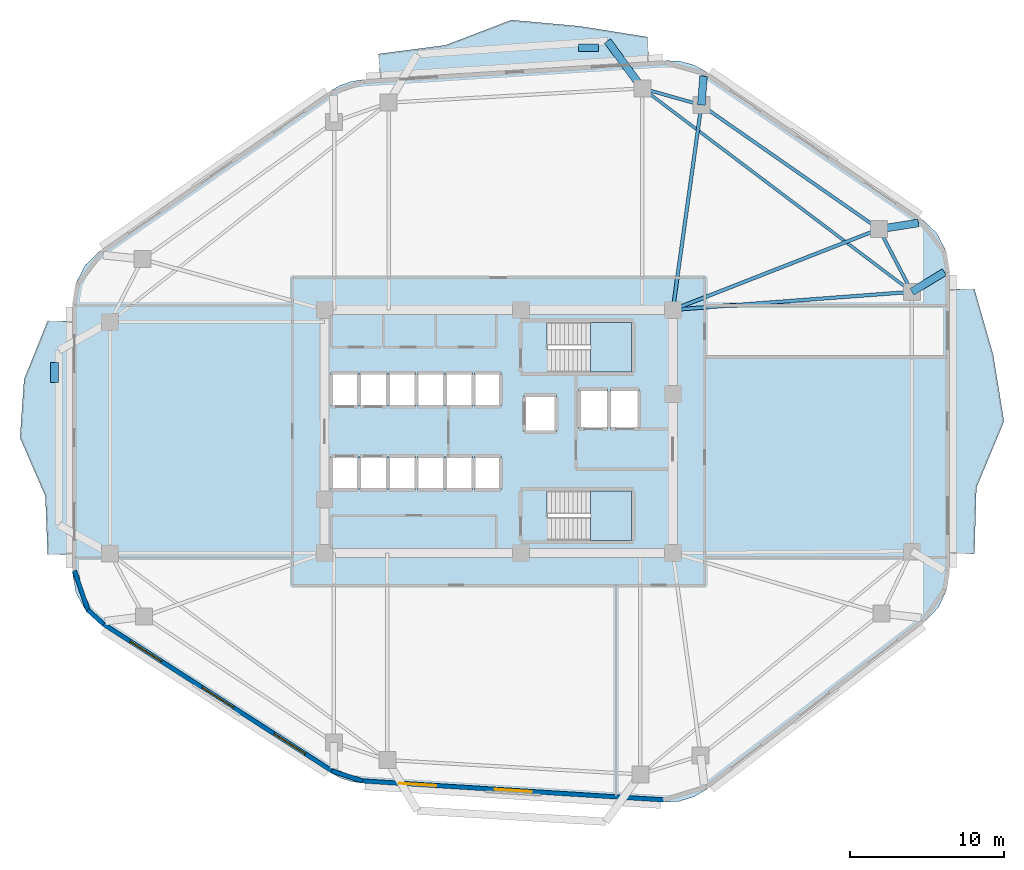
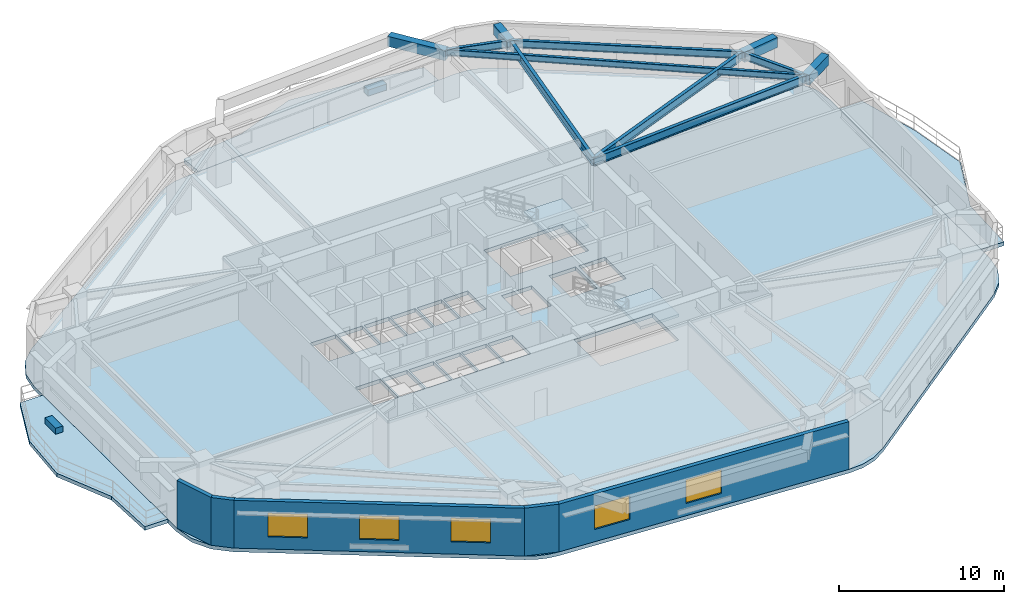
# One storey, part 2 of 9: 11 beams, 6 slabs, 5 walls, 5 windows, 2 plates, 5 openings, 2 elements without a shape of their own.
"""IFC4 building model written with IfcOpenShell, lengths in metres."""

from ifc_helpers import new_model, si_unit, direction, frame, frame_2d, origin, origin_2d, place, context, subcontext, project, spatial, polyline, rectangle, i_section, outline, extrude, material, layer, layer_set, material_profile, profile_set, type_object, element, fill, aggregate, save


model = new_model("IFC4")

# Units and contexts
model_context = context("Model", 3, precision=1e-05, world=origin(), true_north=direction((0.0, 1.0)))
body_context = subcontext(model_context, "Body", "Model", "MODEL_VIEW")
ifc_project = project(units=[si_unit("LENGTHUNIT", "METRE"), si_unit("AREAUNIT", "SQUARE_METRE"), si_unit("VOLUMEUNIT", "CUBIC_METRE"), si_unit("PLANEANGLEUNIT", "RADIAN"), si_unit("MASSUNIT", "GRAM", prefix="KILO")], contexts=[model_context])

# Site, building, storey
site_placement = place(None, origin())
site = spatial("IfcSite", under=ifc_project, at=site_placement, CompositionType="ELEMENT")
building_placement = place(site_placement, origin())
building = spatial("IfcBuilding", under=site, at=building_placement, Name="Zulverin Broadcast Headquarters", CompositionType="ELEMENT")
storey_placement = place(building_placement, frame((0.0, 0.0, 104.800048828125)))
storey = spatial("IfcBuildingStorey", under=building, at=storey_placement, Name="L26", CompositionType="ELEMENT", Elevation=104.800048828125)

# Beams
ifc_material_1 = material(Name="Concrete C40/50", Category="concrete")
ifc_material_profile_1 = material_profile(ifc_material_1, rectangle(XDim=0.5, YDim=0.75, at=origin_2d()), Name="Concrete C40/50", Category="concrete")
ifc_profile_set_1 = profile_set([ifc_material_profile_1], Name="Concrete C40/50")
beam_type_1 = type_object("IfcBeamType", Name="BM-RC-500x750", PredefinedType="BEAM", material=ifc_profile_set_1)
beam_1_placement = place(storey_placement, frame((63.75, 34.235107421875, 3.14990234375), z_axis=(0.854022127196, 0.520236682924, 0.0), x_axis=(-0.520236682924, 0.854022127196, 0.0)))
element("IfcBeam", 1, at=beam_1_placement, inside=storey, type_object=beam_type_1, Name="L27 Plate Overhang Back-Spanned Beam OVR-06", PredefinedType="BEAM", context=body_context, shape_type="SweptSolid", body=[
    extrude(rectangle(XDim=0.5, YDim=0.75, at=origin_2d()), origin(), (0.0, 0.0, 1.0), 2.458984375),
])
beam_2_placement = place(storey_placement, frame((61.630126953125, 38.298583984375, 3.14990234375), z_axis=(0.988133444256, 0.153597839639, 0.0), x_axis=(-0.153597839639, 0.988133444256, 0.0)))
element("IfcBeam", 2, at=beam_2_placement, inside=storey, type_object=beam_type_1, Name="L27 Plate Overhang Back-Spanned Beam OVR-07", PredefinedType="BEAM", context=body_context, shape_type="SweptSolid", body=[
    extrude(rectangle(XDim=0.5, YDim=0.75, at=origin_2d()), origin(), (0.0, 0.0, 1.0), 2.57177734375),
])
beam_3_placement = place(storey_placement, frame((50.121826171875, 46.325927734375, 3.14990234375), z_axis=(0.073023006252, 0.997330256514, 0.0), x_axis=(-0.997330256514, 0.073023006252, 0.0)))
element("IfcBeam", 3, at=beam_3_placement, inside=storey, type_object=beam_type_1, Name="L27 Plate Overhang Back-Spanned Beam OVR-08", PredefinedType="BEAM", context=body_context, shape_type="SweptSolid", body=[
    extrude(rectangle(XDim=0.5, YDim=0.75, at=origin_2d()), origin(), (0.0, 0.0, 1.0), 1.875732421875),
])
beam_4_placement = place(storey_placement, frame((46.30224609375, 47.4091796875, 3.14990234375), z_axis=(-0.592925064887, 0.805257640404, 0.0), x_axis=(-0.805257640404, -0.592925064887, 0.0)))
element("IfcBeam", 4, at=beam_4_placement, inside=storey, type_object=beam_type_1, Name="L27 Balcony Column-Framed Cantilever BAL_N-1", PredefinedType="BEAM", context=body_context, shape_type="SweptSolid", body=[
    extrude(rectangle(XDim=0.5, YDim=0.75, at=origin_2d()), origin(), (0.0, 0.0, 1.0), 3.800048828125),
])
ifc_material_2 = material(Name="Structural steel S355JR", Category="steel")
ifc_material_profile_2 = material_profile(ifc_material_2, i_section(OverallWidth=0.19287109375, OverallDepth=0.46728515625, WebThickness=0.011474609375, FlangeThickness=0.01953125, at=origin_2d()), Name="Structural steel S355JR", Category="steel")
ifc_profile_set_2 = profile_set([ifc_material_profile_2], Name="Structural steel S355JR")
beam_type_2 = type_object("IfcBeamType", Name="BM-UB-457", PredefinedType="JOIST", material=ifc_profile_set_2)
beam_5_placement = place(storey_placement, frame((63.75, 34.235107421875, 3.291259765625), z_axis=(-0.798058136838, 0.602580459546, 0.0), x_axis=(-0.602580459546, -0.798058136838, 0.0)))
element("IfcBeam", 5, at=beam_5_placement, inside=storey, type_object=beam_type_2, Name="L26 Chordal Floor Joist J-02", PredefinedType="JOIST", context=body_context, shape_type="SweptSolid", body=[
    extrude(i_section(OverallWidth=0.19287109375, OverallDepth=0.46728515625, WebThickness=0.011474609375, FlangeThickness=0.01953125, at=origin_2d()), origin(), (0.0, 0.0, 1.0), 21.86279296875),
])
ifc_material_profile_3 = material_profile(ifc_material_2, i_section(OverallWidth=0.2119140625, OverallDepth=0.54443359375, WebThickness=0.0126953125, FlangeThickness=0.021240234375, at=origin_2d()), Name="Structural steel S355JR", Category="steel")
ifc_profile_set_3 = profile_set([ifc_material_profile_3], Name="Structural steel S355JR")
beam_type_3 = type_object("IfcBeamType", Name="BM-UB-533", PredefinedType="SPANDREL", material=ifc_profile_set_3)
beam_6_placement = place(storey_placement, frame((63.75, 34.235107421875, 3.252685546875), z_axis=(-0.462531417359, 0.886602891917, 0.0), x_axis=(-0.886602891917, -0.462531417359, 0.0)))
element("IfcBeam", 6, at=beam_6_placement, inside=storey, type_object=beam_type_3, Name="L26 Perimeter Spandrel Beam SP-06", PredefinedType="SPANDREL", context=body_context, shape_type="SweptSolid", body=[
    extrude(i_section(OverallWidth=0.2119140625, OverallDepth=0.54443359375, WebThickness=0.0126953125, FlangeThickness=0.021240234375, at=origin_2d()), origin(), (0.0, 0.0, 1.0), 4.583251953125),
])
beam_7_placement = place(storey_placement, frame((61.630126953125, 38.298583984375, 3.252685546875), z_axis=(-0.820183915206, 0.5720999434, 0.0), x_axis=(-0.5720999434, -0.820183915206, 0.0)))
element("IfcBeam", 7, at=beam_7_placement, inside=storey, type_object=beam_type_3, Name="L26 Perimeter Spandrel Beam SP-07", PredefinedType="SPANDREL", context=body_context, shape_type="SweptSolid", body=[
    extrude(i_section(OverallWidth=0.2119140625, OverallDepth=0.54443359375, WebThickness=0.0126953125, FlangeThickness=0.021240234375, at=origin_2d()), origin(), (0.0, 0.0, 1.0), 14.03125),
])
beam_8_placement = place(storey_placement, frame((50.121826171875, 46.325927734375, 3.252685546875), z_axis=(-0.962058150721, 0.272844487999, 0.0), x_axis=(-0.272844487999, -0.962058150721, 0.0)))
element("IfcBeam", 8, at=beam_8_placement, inside=storey, type_object=beam_type_3, Name="L26 Perimeter Spandrel Beam SP-08", PredefinedType="SPANDREL", context=body_context, shape_type="SweptSolid", body=[
    extrude(i_section(OverallWidth=0.2119140625, OverallDepth=0.54443359375, WebThickness=0.0126953125, FlangeThickness=0.021240234375, at=origin_2d()), origin(), (0.0, 0.0, 1.0), 3.97021484375),
])
ifc_material_profile_4 = material_profile(ifc_material_2, i_section(OverallWidth=0.230224609375, OverallDepth=0.6171875, WebThickness=0.01318359375, FlangeThickness=0.022216796875, at=origin_2d()), Name="Structural steel S355JR", Category="steel")
ifc_profile_set_4 = profile_set([ifc_material_profile_4], Name="Structural steel S355JR")
beam_type_4 = type_object("IfcBeamType", Name="BM-UB-610", PredefinedType="BEAM", material=ifc_profile_set_4)
beam_9_placement = place(storey_placement, frame((48.27490234375, 33.074951171875, 3.21630859375), z_axis=(0.997201597387, 0.074759442003, 0.0), x_axis=(-0.074759442003, 0.997201597387, 0.0)))
element("IfcBeam", 9, at=beam_9_placement, inside=storey, type_object=beam_type_4, Name="L26 Radial Primary Floor Beam RB-06", PredefinedType="BEAM", context=body_context, shape_type="SweptSolid", body=[
    extrude(i_section(OverallWidth=0.230224609375, OverallDepth=0.6171875, WebThickness=0.01318359375, FlangeThickness=0.022216796875, at=origin_2d()), origin(), (0.0, 0.0, 1.0), 15.5185546875),
])
beam_10_placement = place(storey_placement, frame((48.27490234375, 33.074951171875, 3.21630859375), z_axis=(0.931297778153, 0.364258765723, 0.0), x_axis=(-0.364258765723, 0.931297778153, 0.0)))
element("IfcBeam", 10, at=beam_10_placement, inside=storey, type_object=beam_type_4, Name="L26 Radial Primary Floor Beam RB-07", PredefinedType="BEAM", context=body_context, shape_type="SweptSolid", body=[
    extrude(i_section(OverallWidth=0.230224609375, OverallDepth=0.6171875, WebThickness=0.01318359375, FlangeThickness=0.022216796875, at=origin_2d()), origin(), (0.0, 0.0, 1.0), 14.34033203125),
])
beam_11_placement = place(storey_placement, frame((48.27490234375, 33.074951171875, 3.21630859375), z_axis=(0.138045758193, 0.990425852169, 0.0), x_axis=(-0.990425852169, 0.138045758193, 0.0)))
element("IfcBeam", 11, at=beam_11_placement, inside=storey, type_object=beam_type_4, Name="L26 Radial Primary Floor Beam RB-08", PredefinedType="BEAM", context=body_context, shape_type="SweptSolid", body=[
    extrude(i_section(OverallWidth=0.230224609375, OverallDepth=0.6171875, WebThickness=0.01318359375, FlangeThickness=0.022216796875, at=origin_2d()), origin(), (0.0, 0.0, 1.0), 13.379150390625),
])

# Plates
ifc_material_3 = material(Name="Precast concrete C45/55", Category="concrete")
ifc_layer_1 = layer(ifc_material_3, 0.449951171875, Name="Precast concrete C45/55", Category="concrete")
ifc_layer_set_1 = layer_set([ifc_layer_1], Name="Precast concrete C45/55")
plate_type = type_object("IfcPlateType", Name="PT-01_PRECAST_GFRC_TREE_PLANTER", PredefinedType="USERDEFINED", material=ifc_layer_set_1)
for number, where, z_axis, x_axis, name in (
    (12, (42.825927734375, 50.04638671875, -0.0048828125), (0.0, 0.0, 1.0), (1.0, 0.0, 0.0), "L26 Precast GFRC Tree Planter BAL_N"),
    (13, (8.25, 29.022216796875, -0.0048828125), (0.0, 0.0, 1.0), (0.0, 1.0, 0.0), "L26 Precast GFRC Tree Planter BAL_W"),
):
    element("IfcPlate", number, at=place(storey_placement, frame(where, z_axis=z_axis, x_axis=x_axis)), inside=storey, type_object=plate_type, Name=name, ObjectType="PLANTER", PredefinedType="USERDEFINED", context=body_context, shape_type="SweptSolid", body=[
        extrude(rectangle(XDim=1.300048828125, YDim=0.5, at=origin_2d()), origin(), (0.0, 0.0, 1.0), 0.449951171875),
    ])

# Slabs
ifc_layer_2 = layer(ifc_material_1, 0.27490234375, Name="Concrete C40/50", Category="concrete")
ifc_layer_set_2 = layer_set([ifc_layer_2], Name="Concrete C40/50")
slab_type_1 = type_object("IfcSlabType", Name="SLB-BAL-275", PredefinedType="FLOOR", material=ifc_layer_set_2)
slab_1_placement = place(storey_placement, frame((0.0, 0.0, -0.275146484375)))
element("IfcSlab", 14, at=slab_1_placement, inside=storey, type_object=slab_type_1, Name="L26 Cantilevered Planted Balcony Slab BAL_E", PredefinedType="FLOOR", context=body_context, shape_type="SweptSolid", body=[
    extrude(outline(polyline([(66.199951171875, 34.41455078125), (66.199951171875, 17.283447265625), (67.800048828125, 17.283447265625), (67.928955078125, 21.566162109375), (69.714599609375, 25.848876953125), (69.018798828125, 30.131591796875), (67.800048828125, 34.41455078125), (66.199951171875, 34.41455078125)])), origin(), (0.0, 0.0, 1.0), 0.275146484375),
])
slab_2_placement = place(storey_placement, frame((0.0, 0.0, -0.275146484375)))
element("IfcSlab", 15, at=slab_2_placement, inside=storey, type_object=slab_type_1, Name="L26 Cantilevered Planted Balcony Slab BAL_N", PredefinedType="FLOOR", context=body_context, shape_type="SweptSolid", body=[
    extrude(outline(polyline([(29.330078125, 48.04296875), (46.72509765625, 49.139892578125), (46.62451171875, 50.73681640625), (42.214111328125, 51.439453125), (37.8232421875, 51.8349609375), (33.56005859375, 50.2041015625), (29.2294921875, 49.639892578125), (29.330078125, 48.04296875)])), origin(), (0.0, 0.0, 1.0), 0.275146484375),
])
slab_3_placement = place(storey_placement, frame((0.0, 0.0, -0.275146484375)))
element("IfcSlab", 16, at=slab_3_placement, inside=storey, type_object=slab_type_1, Name="L26 Cantilevered Planted Balcony Slab BAL_W", PredefinedType="FLOOR", context=body_context, shape_type="SweptSolid", body=[
    extrude(outline(polyline([(9.39990234375, 17.24365234375), (9.39990234375, 32.344482421875), (7.800048828125, 32.344482421875), (6.27490234375, 28.569091796875), (6.01220703125, 24.7939453125), (7.651123046875, 21.018798828125), (7.800048828125, 17.24365234375), (9.39990234375, 17.24365234375)])), origin(), (0.0, 0.0, 1.0), 0.275146484375),
])

# Stair, slab
stair_type = type_object("IfcStairType", Name="ST-CORE-1500", PredefinedType="HALF_TURN_STAIR", material=ifc_material_1)
stair_1_placement = place(storey_placement, origin())
stair_1 = element("IfcStair", 17, at=stair_1_placement, inside=storey, type_object=stair_type, Name="L26 Core Exit Stair ST-1", PredefinedType="HALF_TURN_STAIR")
ifc_layer_3 = layer(ifc_material_1, 0.199951171875, Name="Concrete C40/50", Category="concrete")
ifc_layer_set_3 = layer_set([ifc_layer_3], Name="Concrete C40/50")
slab_type_2 = type_object("IfcSlabType", Name="SLB-ST-LND200", PredefinedType="LANDING", material=ifc_layer_set_3)
slab_4_placement = place(storey_placement, frame((0.0, 0.0, 1.699951171875)))
slab_4 = element("IfcSlab", 18, at=slab_4_placement, type_object=slab_type_2, Name="ST-1 landing 1", PredefinedType="LANDING", context=body_context, shape_type="SweptSolid", body=[
    extrude(outline(polyline([(42.929931640625, 29.050048828125), (45.60009765625, 29.050048828125), (45.60009765625, 32.25), (42.929931640625, 32.25), (42.929931640625, 29.050048828125)])), origin(), (0.0, 0.0, 1.0), 0.199951171875),
])
aggregate(stair_1, [slab_4])

stair_2_placement = place(storey_placement, origin())
stair_2 = element("IfcStair", 19, at=stair_2_placement, inside=storey, type_object=stair_type, Name="L26 Core Exit Stair ST-2", PredefinedType="HALF_TURN_STAIR")
slab_5_placement = place(storey_placement, frame((0.0, 0.0, 1.699951171875)))
slab_5 = element("IfcSlab", 20, at=slab_5_placement, type_object=slab_type_2, Name="ST-2 landing 1", PredefinedType="LANDING", context=body_context, shape_type="SweptSolid", body=[
    extrude(outline(polyline([(42.929931640625, 18.14990234375), (45.60009765625, 18.14990234375), (45.60009765625, 21.35009765625), (42.929931640625, 21.35009765625), (42.929931640625, 18.14990234375)])), origin(), (0.0, 0.0, 1.0), 0.199951171875),
])
aggregate(stair_2, [slab_5])

# Slab
ifc_layer_4 = layer(ifc_material_1, 0.27490234375, Name="Concrete C40/50", Category="concrete")
ifc_layer_set_4 = layer_set([ifc_layer_4], Name="Concrete C40/50")
slab_type_3 = type_object("IfcSlabType", Name="SLB-TWR-275", PredefinedType="FLOOR", material=ifc_layer_set_4)
slab_6_placement = place(storey_placement, frame((0.0, 0.0, -0.275146484375)))
element("IfcSlab", 21, at=slab_6_placement, inside=storey, type_object=slab_type_3, Name="L26 Main Structural Floor Slab", PredefinedType="FLOOR", context=body_context, shape_type="SweptSolid", body=[
    extrude(outline(polyline([(26.146484375, 3.089599609375), (26.774658203125, 2.75732421875), (27.44970703125, 2.535888671875), (28.152587890625, 2.431396484375), (47.690673828125, 1.19921875), (48.69189453125, 1.256103515625), (49.6513671875, 1.548828125), (50.51416015625, 2.060546875), (64.55908203125, 12.85302734375), (65.44140625, 13.77587890625), (66.005859375, 14.92138671875), (66.199951171875, 16.183349609375), (66.199951171875, 35.514404296875), (65.981689453125, 36.85107421875), (65.349365234375, 38.048583984375), (64.368896484375, 38.982666015625), (50.456298828125, 48.485595703125), (49.639404296875, 48.920166015625), (48.747314453125, 49.165283203125), (47.822998046875, 49.208984375), (28.232421875, 47.9736328125), (27.481201171875, 47.857421875), (26.76318359375, 47.607666015625), (26.102294921875, 47.232666015625), (11.20556640625, 36.89501953125), (10.238037109375, 35.9619140625), (9.614990234375, 34.77099609375), (9.39990234375, 33.4443359375), (9.39990234375, 16.1435546875), (9.631103515625, 14.769775390625), (10.298583984375, 13.547119140625), (11.32958984375, 12.610107421875), (26.146484375, 3.089599609375)]), holes=[polyline([(40.155029296875, 30.75), (40.130126953125, 30.75), (40.130126953125, 32.25), (45.60009765625, 32.25), (45.60009765625, 29.050048828125), (40.155029296875, 29.050048828125), (40.155029296875, 30.75)]), polyline([(40.155029296875, 19.85009765625), (40.130126953125, 19.85009765625), (40.130126953125, 21.35009765625), (45.60009765625, 21.35009765625), (45.60009765625, 18.14990234375), (40.155029296875, 18.14990234375), (40.155029296875, 19.85009765625)]), polyline([(26.14990234375, 26.800048828125), (27.89990234375, 26.800048828125), (27.89990234375, 29.0), (26.14990234375, 29.0), (26.14990234375, 26.800048828125)]), polyline([(28.02001953125, 26.800048828125), (29.77001953125, 26.800048828125), (29.77001953125, 29.0), (28.02001953125, 29.0), (28.02001953125, 26.800048828125)]), polyline([(26.14990234375, 21.39990234375), (27.89990234375, 21.39990234375), (27.89990234375, 23.60009765625), (26.14990234375, 23.60009765625), (26.14990234375, 21.39990234375)]), polyline([(28.02001953125, 21.39990234375), (29.77001953125, 21.39990234375), (29.77001953125, 23.60009765625), (28.02001953125, 23.60009765625), (28.02001953125, 21.39990234375)]), polyline([(29.89990234375, 21.39990234375), (31.6201171875, 21.39990234375), (31.6201171875, 23.60009765625), (29.89990234375, 23.60009765625), (29.89990234375, 21.39990234375)]), polyline([(31.739990234375, 21.39990234375), (33.4599609375, 21.39990234375), (33.4599609375, 23.60009765625), (31.739990234375, 23.60009765625), (31.739990234375, 21.39990234375)]), polyline([(33.580078125, 21.39990234375), (35.300048828125, 21.39990234375), (35.300048828125, 23.60009765625), (33.580078125, 23.60009765625), (33.580078125, 21.39990234375)]), polyline([(35.419921875, 21.39990234375), (37.139892578125, 21.39990234375), (37.139892578125, 23.60009765625), (35.419921875, 23.60009765625), (35.419921875, 21.39990234375)]), polyline([(29.89990234375, 26.800048828125), (31.6201171875, 26.800048828125), (31.6201171875, 29.0), (29.89990234375, 29.0), (29.89990234375, 26.800048828125)]), polyline([(31.739990234375, 26.800048828125), (33.4599609375, 26.800048828125), (33.4599609375, 29.0), (31.739990234375, 29.0), (31.739990234375, 26.800048828125)]), polyline([(33.580078125, 26.800048828125), (35.300048828125, 26.800048828125), (35.300048828125, 29.0), (33.580078125, 29.0), (33.580078125, 26.800048828125)]), polyline([(35.419921875, 26.800048828125), (37.139892578125, 26.800048828125), (37.139892578125, 29.0), (35.419921875, 29.0), (35.419921875, 26.800048828125)]), polyline([(42.199951171875, 25.35009765625), (44.050048828125, 25.35009765625), (44.050048828125, 27.949951171875), (42.199951171875, 27.949951171875), (42.199951171875, 25.35009765625)]), polyline([(44.25, 25.35009765625), (46.10009765625, 25.35009765625), (46.10009765625, 27.949951171875), (44.25, 27.949951171875), (44.25, 25.35009765625)]), polyline([(38.64990234375, 25.14990234375), (40.75, 25.14990234375), (40.75, 27.550048828125), (38.64990234375, 27.550048828125), (38.64990234375, 25.14990234375)])]), origin(), (0.0, 0.0, 1.0), 0.275146484375),
])

# Wall, openings, windows
ifc_material_4 = material(Name="Insulated pale-metal clad concrete spandrel C40/50", Category="concrete")
ifc_layer_5 = layer(ifc_material_4, 0.280029296875, Name="Insulated pale-metal clad concrete spandrel C40/50", Category="concrete")
ifc_layer_set_5 = layer_set([ifc_layer_5], Name="Insulated pale-metal clad concrete spandrel C40/50")
wall_type = type_object("IfcWallType", Name="WL-EXT-280", PredefinedType="STANDARD", material=ifc_layer_set_5)
wall_1_placement = place(storey_placement, frame((28.161376953125, 2.571044921875, 0.0), z_axis=(0.0, 0.0, 1.0), x_axis=(0.998017288298, -0.06294038654, 0.0)))
wall_1 = element("IfcWall", 22, at=wall_1_placement, inside=storey, type_object=wall_type, Name="L26 Pale-Metal Clad Spandrel Wall 1", PredefinedType="STANDARD", context=body_context, shape_type="SweptSolid", body=[
    extrude(rectangle(XDim=19.576904296875, YDim=0.280029296875, at=frame_2d((9.78857421875, 0.0))), origin(), (0.0, 0.0, 1.0), 3.52490234375),
])
opening_1_placement = place(wall_1_placement, frame((2.396240234375, 0.0, 0.89990234375)))
opening_1 = element("IfcOpeningElement", 23, at=opening_1_placement, cuts=wall_1, Name="Opening W-L26-E11", PredefinedType="OPENING", context=body_context, shape_type="SweptSolid", body=[
    extrude(rectangle(XDim=2.39990234375, YDim=1.75, at=frame_2d((1.199951171875, 0.875))), frame((0.0, 0.14990234375, 0.0), z_axis=(0.0, -1.0, 0.0), x_axis=(1.0, 0.0, 0.0)), (0.0, 0.0, 1.0), 0.300048828125),
])
opening_2_placement = place(wall_1_placement, frame((8.58837890625, 0.0, 0.89990234375)))
opening_2 = element("IfcOpeningElement", 24, at=opening_2_placement, cuts=wall_1, Name="Opening W-L26-E12", PredefinedType="OPENING", context=body_context, shape_type="SweptSolid", body=[
    extrude(rectangle(XDim=2.39990234375, YDim=1.75, at=frame_2d((1.199951171875, 0.875))), frame((0.0, 0.14990234375, 0.0), z_axis=(0.0, -1.0, 0.0), x_axis=(1.0, 0.0, 0.0)), (0.0, 0.0, 1.0), 0.300048828125),
])
ifc_material_5 = material(Name="Pale anodized aluminium frame with solar-control low-E double glazing", Category="aluminium")
window_type = type_object("IfcWindowType", Name="WIN-RIB-2400", PartitioningType="SINGLE_PANEL", PredefinedType="WINDOW", material=ifc_material_5)
window_1_placement = place(opening_1_placement, origin())
window_1 = element("IfcWindow", 25, at=window_1_placement, inside=storey, type_object=window_type, Name="L26 Ribbon Glazing Window 1 1", OverallHeight=1.75, OverallWidth=2.39990234375, PartitioningType="SINGLE_PANEL", PredefinedType="WINDOW", context=body_context, shape_type="SweptSolid", body=[
    extrude(rectangle(XDim=2.39990234375, YDim=1.75, at=frame_2d((1.199951171875, 0.875))), frame((0.0, 0.030029296875, 0.0), z_axis=(0.0, -1.0, 0.0), x_axis=(1.0, 0.0, 0.0)), (0.0, 0.0, 1.0), 0.06005859375),
])
fill(opening_1, window_1)
window_2_placement = place(opening_2_placement, origin())
window_2 = element("IfcWindow", 26, at=window_2_placement, inside=storey, type_object=window_type, Name="L26 Ribbon Glazing Window 1 2", OverallHeight=1.75, OverallWidth=2.39990234375, PartitioningType="SINGLE_PANEL", PredefinedType="WINDOW", context=body_context, shape_type="SweptSolid", body=[
    extrude(rectangle(XDim=2.39990234375, YDim=1.75, at=frame_2d((1.199951171875, 0.875))), frame((0.0, 0.030029296875, 0.0), z_axis=(0.0, -1.0, 0.0), x_axis=(1.0, 0.0, 0.0)), (0.0, 0.0, 1.0), 0.06005859375),
])
fill(opening_2, window_2)

wall_2_placement = place(storey_placement, frame((11.4052734375, 12.727783203125, 0.0), z_axis=(0.0, 0.0, 1.0), x_axis=(0.841304564637, -0.540561402175, 0.0)))
wall_2 = element("IfcWall", 27, at=wall_2_placement, inside=storey, type_object=wall_type, Name="L26 Pale-Metal Clad Spandrel Wall 8", PredefinedType="STANDARD", context=body_context, shape_type="SweptSolid", body=[
    extrude(rectangle(XDim=17.61181640625, YDim=0.280029296875, at=frame_2d((8.805908203125, 0.0))), origin(), (0.0, 0.0, 1.0), 3.52490234375),
])
opening_3_placement = place(wall_2_placement, frame((2.068603515625, 0.0, 0.89990234375)))
opening_3 = element("IfcOpeningElement", 28, at=opening_3_placement, cuts=wall_2, Name="Opening W-L26-E81", PredefinedType="OPENING", context=body_context, shape_type="SweptSolid", body=[
    extrude(rectangle(XDim=2.39990234375, YDim=1.75, at=frame_2d((1.199951171875, 0.875))), frame((0.0, 0.14990234375, 0.0), z_axis=(0.0, -1.0, 0.0), x_axis=(1.0, 0.0, 0.0)), (0.0, 0.0, 1.0), 0.300048828125),
])
opening_4_placement = place(wall_2_placement, frame((7.60595703125, 0.0, 0.89990234375)))
opening_4 = element("IfcOpeningElement", 29, at=opening_4_placement, cuts=wall_2, Name="Opening W-L26-E82", PredefinedType="OPENING", context=body_context, shape_type="SweptSolid", body=[
    extrude(rectangle(XDim=2.39990234375, YDim=1.75, at=frame_2d((1.199951171875, 0.875))), frame((0.0, 0.14990234375, 0.0), z_axis=(0.0, -1.0, 0.0), x_axis=(1.0, 0.0, 0.0)), (0.0, 0.0, 1.0), 0.300048828125),
])
opening_5_placement = place(wall_2_placement, frame((13.143310546875, 0.0, 0.89990234375)))
opening_5 = element("IfcOpeningElement", 30, at=opening_5_placement, cuts=wall_2, Name="Opening W-L26-E83", PredefinedType="OPENING", context=body_context, shape_type="SweptSolid", body=[
    extrude(rectangle(XDim=2.39990234375, YDim=1.75, at=frame_2d((1.199951171875, 0.875))), frame((0.0, 0.14990234375, 0.0), z_axis=(0.0, -1.0, 0.0), x_axis=(1.0, 0.0, 0.0)), (0.0, 0.0, 1.0), 0.300048828125),
])
window_3_placement = place(opening_3_placement, origin())
window_3 = element("IfcWindow", 31, at=window_3_placement, inside=storey, type_object=window_type, Name="L26 Ribbon Glazing Window 8 1", OverallHeight=1.75, OverallWidth=2.39990234375, PartitioningType="SINGLE_PANEL", PredefinedType="WINDOW", context=body_context, shape_type="SweptSolid", body=[
    extrude(rectangle(XDim=2.39990234375, YDim=1.75, at=frame_2d((1.199951171875, 0.875))), frame((0.0, 0.030029296875, 0.0), z_axis=(0.0, -1.0, 0.0), x_axis=(1.0, 0.0, 0.0)), (0.0, 0.0, 1.0), 0.06005859375),
])
fill(opening_3, window_3)
window_4_placement = place(opening_4_placement, origin())
window_4 = element("IfcWindow", 32, at=window_4_placement, inside=storey, type_object=window_type, Name="L26 Ribbon Glazing Window 8 2", OverallHeight=1.75, OverallWidth=2.39990234375, PartitioningType="SINGLE_PANEL", PredefinedType="WINDOW", context=body_context, shape_type="SweptSolid", body=[
    extrude(rectangle(XDim=2.39990234375, YDim=1.75, at=frame_2d((1.199951171875, 0.875))), frame((0.0, 0.030029296875, 0.0), z_axis=(0.0, -1.0, 0.0), x_axis=(1.0, 0.0, 0.0)), (0.0, 0.0, 1.0), 0.06005859375),
])
fill(opening_4, window_4)
window_5_placement = place(opening_5_placement, origin())
window_5 = element("IfcWindow", 33, at=window_5_placement, inside=storey, type_object=window_type, Name="L26 Ribbon Glazing Window 8 3", OverallHeight=1.75, OverallWidth=2.39990234375, PartitioningType="SINGLE_PANEL", PredefinedType="WINDOW", context=body_context, shape_type="SweptSolid", body=[
    extrude(rectangle(XDim=2.39990234375, YDim=1.75, at=frame_2d((1.199951171875, 0.875))), frame((0.0, 0.030029296875, 0.0), z_axis=(0.0, -1.0, 0.0), x_axis=(1.0, 0.0, 0.0)), (0.0, 0.0, 1.0), 0.06005859375),
])
fill(opening_5, window_5)

# Walls
wall_3_placement = place(storey_placement, frame((9.5322265625, 16.189453125, 0.0), z_axis=(0.0, 0.0, 1.0), x_axis=(0.32708309668, -0.944995580871, 0.0)))
element("IfcWall", 34, at=wall_3_placement, inside=storey, type_object=wall_type, Name="L26 Wind-Shaped Corner Spandrel Wall 7-1", PredefinedType="STANDARD", context=body_context, shape_type="SweptSolid", body=[
    extrude(rectangle(XDim=2.74755859375, YDim=0.280029296875, at=frame_2d((1.373779296875, 0.0))), origin(), (0.0, 0.0, 1.0), 3.52490234375),
])
wall_4_placement = place(storey_placement, frame((10.392822265625, 13.650634765625, 0.0), z_axis=(0.0, 0.0, 1.0), x_axis=(0.74003521851, -0.672568119498, 0.0)))
element("IfcWall", 35, at=wall_4_placement, inside=storey, type_object=wall_type, Name="L26 Wind-Shaped Corner Spandrel Wall 7-2", PredefinedType="STANDARD", context=body_context, shape_type="SweptSolid", body=[
    extrude(rectangle(XDim=1.39306640625, YDim=0.280029296875, at=frame_2d((0.696533203125, 0.0))), origin(), (0.0, 0.0, 1.0), 3.52490234375),
])
wall_5_placement = place(storey_placement, frame((26.18994140625, 3.22265625, 0.0), z_axis=(0.0, 0.0, 1.0), x_axis=(0.95016442175, -0.311749212734, 0.0)))
element("IfcWall", 36, at=wall_5_placement, inside=storey, type_object=wall_type, Name="L26 Wind-Shaped Corner Spandrel Wall 8-1", PredefinedType="STANDARD", context=body_context, shape_type="SweptSolid", body=[
    extrude(rectangle(XDim=2.111328125, YDim=0.280029296875, at=frame_2d((1.0556640625, 0.0))), origin(), (0.0, 0.0, 1.0), 3.52490234375),
])

save(model, "model.ifc")
